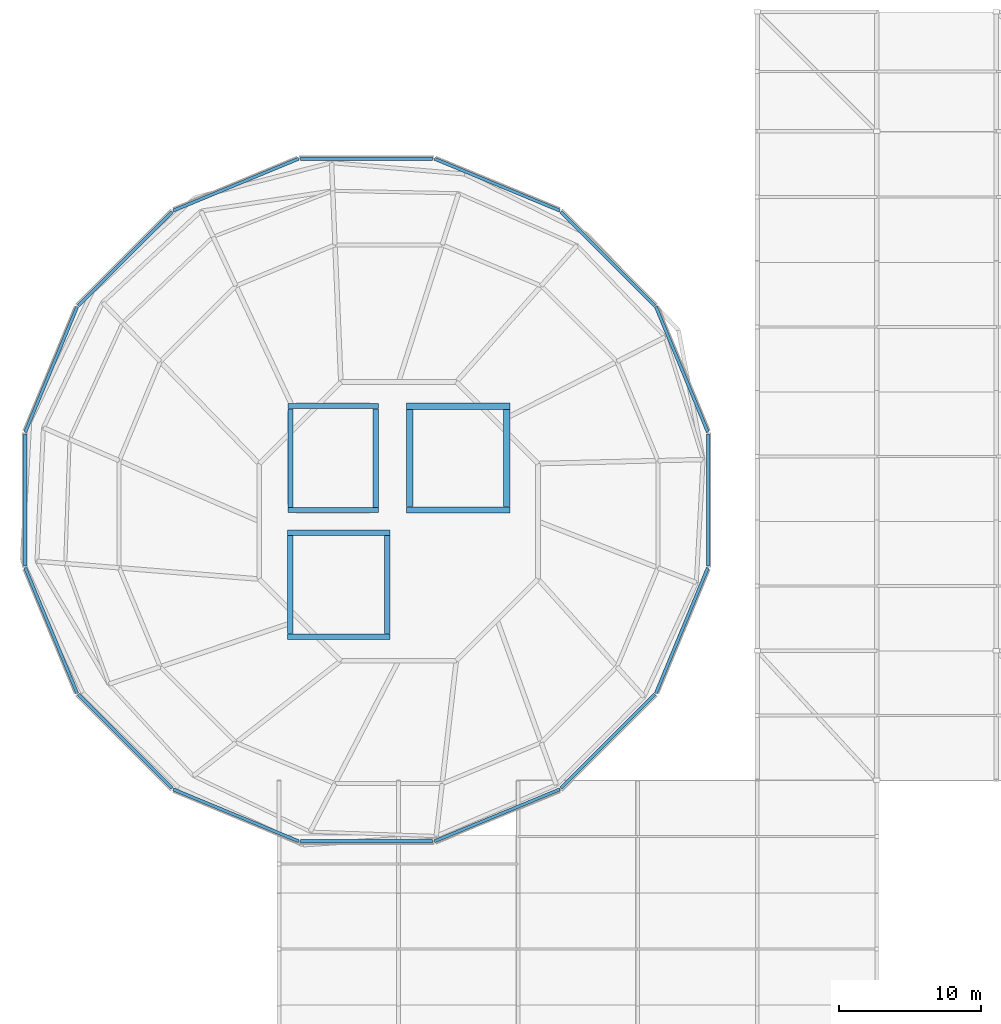
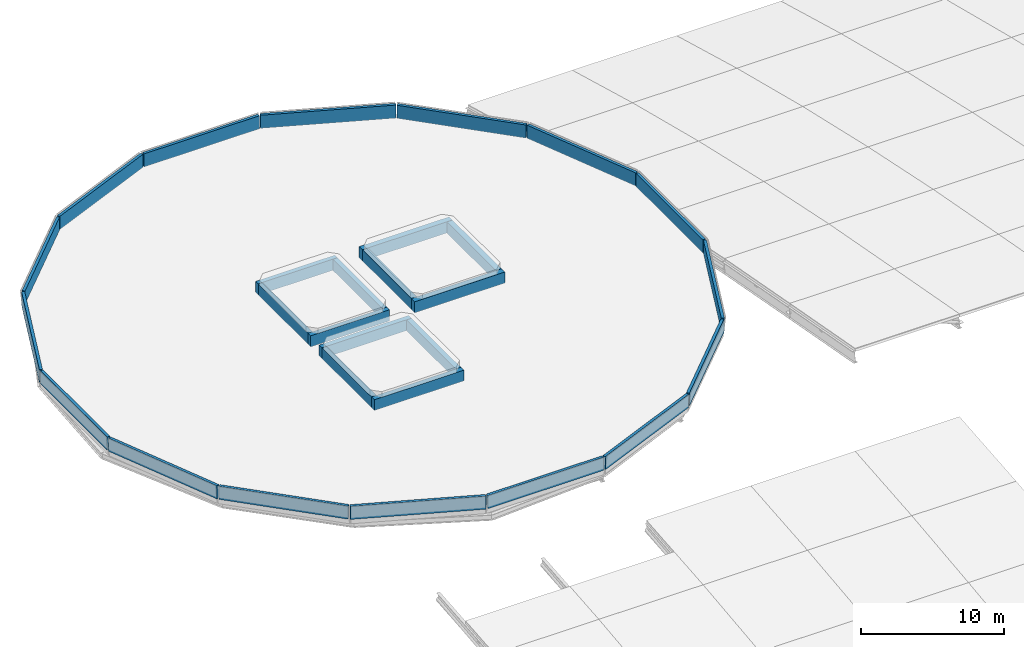
# One storey, part 10 of 12: 28 walls.
"""IFC4 building model written with IfcOpenShell, lengths in metres."""

from ifc_helpers import new_model, si_unit, derived_unit, direction, frame, frame_2d, origin, place, context, subcontext, project, spatial, rectangle, extrude, material, layer, layer_set, type_object, element, save


model = new_model("IFC4")

# Units and contexts
model_context = context("Model", 3, precision=1e-05, world=origin(), true_north=direction((0.0, 1.0)))
body_context = subcontext(model_context, "Body", "Model", "MODEL_VIEW")
ifc_project = project(units=[si_unit("LENGTHUNIT", "METRE"), si_unit("AREAUNIT", "SQUARE_METRE"), si_unit("VOLUMEUNIT", "CUBIC_METRE"), si_unit("PLANEANGLEUNIT", "RADIAN"), si_unit("MASSUNIT", "GRAM", prefix="KILO"), derived_unit("THERMALTRANSMITTANCEUNIT", [(si_unit("MASSUNIT", "GRAM", prefix="KILO"), 1), (si_unit("TIMEUNIT", "SECOND"), -3), (si_unit("THERMODYNAMICTEMPERATUREUNIT", "KELVIN"), -1)])], contexts=[model_context])

# Site, building, storey
site_placement = place(None, origin())
site = spatial("IfcSite", under=ifc_project, at=site_placement, CompositionType="ELEMENT")
building_placement = place(site_placement, origin())
building = spatial("IfcBuilding", under=site, at=building_placement, Name="Makaiwela Harbour Ferry Terminal", CompositionType="ELEMENT")
storey_placement = place(building_placement, frame((0.0, 0.0, 25.5)))
storey = spatial("IfcBuildingStorey", under=building, at=storey_placement, Name="ROOF", CompositionType="ELEMENT", Elevation=25.5)

# Walls
ifc_material_1 = material(Name="Precast concrete f'c 40 MPa (6000 psi)", Category="concrete")
ifc_layer_1 = layer(ifc_material_1, 0.219970703125)
ifc_layer_set_1 = layer_set([ifc_layer_1], Name="Precast concrete f'c 40 MPa (6000 psi)")
wall_type_1 = type_object("IfcWallType", Name="ENV-WL-PAR220", PredefinedType="PARAPET", material=ifc_layer_set_1)
wall_1_placement = place(storey_placement, frame((59.5302734375, 73.8701171875, 0.0), z_axis=(0.0, 0.0, 1.0), x_axis=(-0.38270288227, 0.923871475857, 0.0)))
element("IfcWall", 1, at=wall_1_placement, inside=storey, type_object=wall_type_1, Name="Roof Parapet Wall PW-022", PredefinedType="PARAPET", context=body_context, shape_type="SweptSolid", body=[
    extrude(rectangle(XDim=9.539794921875, YDim=0.219970703125, at=frame_2d((4.77001953125, 0.0))), origin(), (0.0, 0.0, 1.0), 1.1201171875),
])
wall_2_placement = place(storey_placement, frame((55.79443359375, 82.7685546875, 0.0), z_axis=(0.0, 0.0, 1.0), x_axis=(-0.707106781187, 0.707106781187, 0.0)))
element("IfcWall", 2, at=wall_2_placement, inside=storey, type_object=wall_type_1, Name="Roof Parapet Wall PW-023", PredefinedType="PARAPET", context=body_context, shape_type="SweptSolid", body=[
    extrude(rectangle(XDim=9.2998046875, YDim=0.219970703125, at=frame_2d((4.64990234375, 0.0))), origin(), (0.0, 0.0, 1.0), 1.1201171875),
])
wall_3_placement = place(storey_placement, frame((49.1337890625, 89.429443359375, 0.0), z_axis=(0.0, 0.0, 1.0), x_axis=(-0.923884271929, 0.382671990198, 0.0)))
element("IfcWall", 3, at=wall_3_placement, inside=storey, type_object=wall_type_1, Name="Roof Parapet Wall PW-024", PredefinedType="PARAPET", context=body_context, shape_type="SweptSolid", body=[
    extrude(rectangle(XDim=9.539794921875, YDim=0.219970703125, at=frame_2d((4.77001953125, 0.0))), origin(), (0.0, 0.0, 1.0), 1.1201171875),
])
wall_4_placement = place(storey_placement, frame((40.199951171875, 93.080078125, 0.0), z_axis=(0.0, 0.0, 1.0), x_axis=(-1.0, 0.0, 0.0)))
element("IfcWall", 4, at=wall_4_placement, inside=storey, type_object=wall_type_1, Name="Roof Parapet Wall PW-025", PredefinedType="PARAPET", context=body_context, shape_type="SweptSolid", body=[
    extrude(rectangle(XDim=9.300048828125, YDim=0.219970703125, at=frame_2d((4.64990234375, 0.0))), origin(), (0.0, 0.0, 1.0), 1.1201171875),
])
wall_5_placement = place(storey_placement, frame((30.780029296875, 93.080078125, 0.0), z_axis=(0.0, 0.0, 1.0), x_axis=(-0.923884271929, -0.382671990198, 0.0)))
element("IfcWall", 5, at=wall_5_placement, inside=storey, type_object=wall_type_1, Name="Roof Parapet Wall PW-026", PredefinedType="PARAPET", context=body_context, shape_type="SweptSolid", body=[
    extrude(rectangle(XDim=9.539794921875, YDim=0.219970703125, at=frame_2d((4.77001953125, 0.0))), origin(), (0.0, 0.0, 1.0), 1.1201171875),
])
wall_6_placement = place(storey_placement, frame((21.88134765625, 89.344482421875, 0.0), z_axis=(0.0, 0.0, 1.0), x_axis=(-0.707106781187, -0.707106781187, 0.0)))
element("IfcWall", 6, at=wall_6_placement, inside=storey, type_object=wall_type_1, Name="Roof Parapet Wall PW-027", PredefinedType="PARAPET", context=body_context, shape_type="SweptSolid", body=[
    extrude(rectangle(XDim=9.2998046875, YDim=0.219970703125, at=frame_2d((4.64990234375, 0.0))), origin(), (0.0, 0.0, 1.0), 1.1201171875),
])
wall_7_placement = place(storey_placement, frame((15.220703125, 82.68359375, 0.0), z_axis=(0.0, 0.0, 1.0), x_axis=(-0.38270288227, -0.923871475857, 0.0)))
element("IfcWall", 7, at=wall_7_placement, inside=storey, type_object=wall_type_1, Name="Roof Parapet Wall PW-028", PredefinedType="PARAPET", context=body_context, shape_type="SweptSolid", body=[
    extrude(rectangle(XDim=9.539794921875, YDim=0.219970703125, at=frame_2d((4.77001953125, 0.0))), origin(), (0.0, 0.0, 1.0), 1.1201171875),
])
wall_8_placement = place(storey_placement, frame((11.56982421875, 73.75, 0.0), z_axis=(0.0, 0.0, 1.0), x_axis=(0.0, -1.0, 0.0)))
element("IfcWall", 8, at=wall_8_placement, inside=storey, type_object=wall_type_1, Name="Roof Parapet Wall PW-029", PredefinedType="PARAPET", context=body_context, shape_type="SweptSolid", body=[
    extrude(rectangle(XDim=9.300048828125, YDim=0.219970703125, at=frame_2d((4.64990234375, 0.0))), origin(), (0.0, 0.0, 1.0), 1.1201171875),
])
wall_9_placement = place(storey_placement, frame((11.56982421875, 64.330078125, 0.0), z_axis=(0.0, 0.0, 1.0), x_axis=(0.382693833944, -0.923875223968, 0.0)))
element("IfcWall", 9, at=wall_9_placement, inside=storey, type_object=wall_type_1, Name="Roof Parapet Wall PW-030", PredefinedType="PARAPET", context=body_context, shape_type="SweptSolid", body=[
    extrude(rectangle(XDim=9.5400390625, YDim=0.219970703125, at=frame_2d((4.77001953125, 0.0))), origin(), (0.0, 0.0, 1.0), 1.1201171875),
])
wall_10_placement = place(storey_placement, frame((15.305419921875, 55.431396484375, 0.0), z_axis=(0.0, 0.0, 1.0), x_axis=(0.707106781187, -0.707106781187, 0.0)))
element("IfcWall", 10, at=wall_10_placement, inside=storey, type_object=wall_type_1, Name="Roof Parapet Wall PW-031", PredefinedType="PARAPET", context=body_context, shape_type="SweptSolid", body=[
    extrude(rectangle(XDim=9.2998046875, YDim=0.219970703125, at=frame_2d((4.64990234375, 0.0))), origin(), (0.0, 0.0, 1.0), 1.1201171875),
])
wall_11_placement = place(storey_placement, frame((21.96630859375, 48.7705078125, 0.0), z_axis=(0.0, 0.0, 1.0), x_axis=(0.923884271929, -0.382671990198, 0.0)))
element("IfcWall", 11, at=wall_11_placement, inside=storey, type_object=wall_type_1, Name="Roof Parapet Wall PW-032", PredefinedType="PARAPET", context=body_context, shape_type="SweptSolid", body=[
    extrude(rectangle(XDim=9.539794921875, YDim=0.219970703125, at=frame_2d((4.77001953125, 0.0))), origin(), (0.0, 0.0, 1.0), 1.1201171875),
])
wall_12_placement = place(storey_placement, frame((30.89990234375, 45.119873046875, 0.0), z_axis=(0.0, 0.0, 1.0), x_axis=(1.0, 0.0, 0.0)))
element("IfcWall", 12, at=wall_12_placement, inside=storey, type_object=wall_type_1, Name="Roof Parapet Wall PW-033", PredefinedType="PARAPET", context=body_context, shape_type="SweptSolid", body=[
    extrude(rectangle(XDim=9.300048828125, YDim=0.219970703125, at=frame_2d((4.64990234375, 0.0))), origin(), (0.0, 0.0, 1.0), 1.1201171875),
])
wall_13_placement = place(storey_placement, frame((40.320068359375, 45.119873046875, 0.0), z_axis=(0.0, 0.0, 1.0), x_axis=(0.923884271929, 0.382671990198, 0.0)))
element("IfcWall", 13, at=wall_13_placement, inside=storey, type_object=wall_type_1, Name="Roof Parapet Wall PW-034", PredefinedType="PARAPET", context=body_context, shape_type="SweptSolid", body=[
    extrude(rectangle(XDim=9.539794921875, YDim=0.219970703125, at=frame_2d((4.77001953125, 0.0))), origin(), (0.0, 0.0, 1.0), 1.1201171875),
])
wall_14_placement = place(storey_placement, frame((49.218505859375, 48.85546875, 0.0), z_axis=(0.0, 0.0, 1.0), x_axis=(0.707106781187, 0.707106781187, 0.0)))
element("IfcWall", 14, at=wall_14_placement, inside=storey, type_object=wall_type_1, Name="Roof Parapet Wall PW-035", PredefinedType="PARAPET", context=body_context, shape_type="SweptSolid", body=[
    extrude(rectangle(XDim=9.2998046875, YDim=0.219970703125, at=frame_2d((4.64990234375, 0.0))), origin(), (0.0, 0.0, 1.0), 1.1201171875),
])
wall_15_placement = place(storey_placement, frame((55.87939453125, 55.516357421875, 0.0), z_axis=(0.0, 0.0, 1.0), x_axis=(0.382693833944, 0.923875223968, 0.0)))
element("IfcWall", 15, at=wall_15_placement, inside=storey, type_object=wall_type_1, Name="Roof Parapet Wall PW-036", PredefinedType="PARAPET", context=body_context, shape_type="SweptSolid", body=[
    extrude(rectangle(XDim=9.5400390625, YDim=0.219970703125, at=frame_2d((4.77001953125, 0.0))), origin(), (0.0, 0.0, 1.0), 1.1201171875),
])
wall_16_placement = place(storey_placement, frame((59.5302734375, 64.449951171875, 0.0), z_axis=(0.0, 0.0, 1.0), x_axis=(0.0, 1.0, 0.0)))
element("IfcWall", 16, at=wall_16_placement, inside=storey, type_object=wall_type_1, Name="Roof Parapet Wall PW-037", PredefinedType="PARAPET", context=body_context, shape_type="SweptSolid", body=[
    extrude(rectangle(XDim=9.300048828125, YDim=0.219970703125, at=frame_2d((4.64990234375, 0.0))), origin(), (0.0, 0.0, 1.0), 1.1201171875),
])
ifc_material_2 = material(Name="Concrete f'c 45 MPa (6500 psi)", Category="concrete")
ifc_layer_2 = layer(ifc_material_2, 0.360107421875)
ifc_layer_set_2 = layer_set([ifc_layer_2], Name="Concrete f'c 45 MPa (6500 psi)")
wall_type_2 = type_object("IfcWallType", Name="INT-WL-SHR360", PredefinedType="SHEAR", material=ifc_layer_set_2)
for number, where, z_axis, x_axis, name in (
    (17, (30.02001953125, 68.39990234375, 0.0), (0.0, 0.0, 1.0), (1.0, 0.0, 0.0), "Interior Wall IW-0162"),
    (18, (30.02001953125, 75.699951171875, 0.0), (0.0, 0.0, 1.0), (1.0, 0.0, 0.0), "Interior Wall IW-0163"),
):
    element("IfcWall", number, at=place(storey_placement, frame(where, z_axis=z_axis, x_axis=x_axis)), inside=storey, type_object=wall_type_2, Name=name, PredefinedType="SHEAR", context=body_context, shape_type="SweptSolid", body=[
        extrude(rectangle(XDim=6.35986328125, YDim=0.360107421875, at=frame_2d((3.179931640625, 0.0))), origin(), (0.0, 0.0, 1.0), 0.949951171875),
    ])
for number, where, z_axis, x_axis, name in (
    (19, (30.199951171875, 68.590087890625, 0.0), (0.0, 0.0, 1.0), (0.0, 1.0, 0.0), "Interior Wall IW-0164"),
    (20, (36.199951171875, 68.590087890625, 0.0), (0.0, 0.0, 1.0), (0.0, 1.0, 0.0), "Interior Wall IW-0165"),
):
    element("IfcWall", number, at=place(storey_placement, frame(where, z_axis=z_axis, x_axis=x_axis)), inside=storey, type_object=wall_type_2, Name=name, PredefinedType="SHEAR", context=body_context, shape_type="SweptSolid", body=[
        extrude(rectangle(XDim=6.919921875, YDim=0.360107421875, at=frame_2d((3.4599609375, 0.0))), origin(), (0.0, 0.0, 1.0), 0.949951171875),
    ])
ifc_layer_3 = layer(ifc_material_2, 0.39990234375)
ifc_layer_set_3 = layer_set([ifc_layer_3], Name="Concrete f'c 45 MPa (6500 psi)")
wall_type_3 = type_object("IfcWallType", Name="INT-WL-SHR400", PredefinedType="SHEAR", material=ifc_layer_set_3)
for number, where, z_axis, x_axis, name in (
    (21, (30.0, 59.5, 0.0), (0.0, 0.0, 1.0), (1.0, 0.0, 0.0), "Interior Wall IW-0125"),
    (22, (30.0, 66.800048828125, 0.0), (0.0, 0.0, 1.0), (1.0, 0.0, 0.0), "Interior Wall IW-0126"),
):
    element("IfcWall", number, at=place(storey_placement, frame(where, z_axis=z_axis, x_axis=x_axis)), inside=storey, type_object=wall_type_3, Name=name, PredefinedType="SHEAR", context=body_context, shape_type="SweptSolid", body=[
        extrude(rectangle(XDim=7.199951171875, YDim=0.39990234375, at=frame_2d((3.60009765625, 0.0))), origin(), (0.0, 0.0, 1.0), 0.919921875),
    ])
for number, where, z_axis, x_axis, name in (
    (23, (30.199951171875, 59.7099609375, 0.0), (0.0, 0.0, 1.0), (0.0, 1.0, 0.0), "Interior Wall IW-0127"),
    (24, (37.0, 59.7099609375, 0.0), (0.0, 0.0, 1.0), (0.0, 1.0, 0.0), "Interior Wall IW-0128"),
):
    element("IfcWall", number, at=place(storey_placement, frame(where, z_axis=z_axis, x_axis=x_axis)), inside=storey, type_object=wall_type_3, Name=name, PredefinedType="SHEAR", context=body_context, shape_type="SweptSolid", body=[
        extrude(rectangle(XDim=6.880126953125, YDim=0.39990234375, at=frame_2d((3.43994140625, 0.0))), origin(), (0.0, 0.0, 1.0), 0.919921875),
    ])
ifc_layer_4 = layer(ifc_material_2, 0.449951171875)
ifc_layer_set_4 = layer_set([ifc_layer_4], Name="Concrete f'c 45 MPa (6500 psi)")
wall_type_4 = type_object("IfcWallType", Name="INT-WL-SHR450", PredefinedType="SHEAR", material=ifc_layer_set_4)
for number, where, z_axis, x_axis, name in (
    (25, (38.375, 68.39990234375, 0.0), (0.0, 0.0, 1.0), (1.0, 0.0, 0.0), "Interior Wall IW-0061"),
    (26, (38.375, 75.699951171875, 0.0), (0.0, 0.0, 1.0), (1.0, 0.0, 0.0), "Interior Wall IW-0062"),
):
    element("IfcWall", number, at=place(storey_placement, frame(where, z_axis=z_axis, x_axis=x_axis)), inside=storey, type_object=wall_type_4, Name=name, PredefinedType="SHEAR", context=body_context, shape_type="SweptSolid", body=[
        extrude(rectangle(XDim=7.25, YDim=0.449951171875, at=frame_2d((3.625, 0.0))), origin(), (0.0, 0.0, 1.0), 0.949951171875),
    ])
for number, where, z_axis, x_axis, name in (
    (27, (38.60009765625, 68.635009765625, 0.0), (0.0, 0.0, 1.0), (0.0, 1.0, 0.0), "Interior Wall IW-0063"),
    (28, (45.39990234375, 68.635009765625, 0.0), (0.0, 0.0, 1.0), (0.0, 1.0, 0.0), "Interior Wall IW-0064"),
):
    element("IfcWall", number, at=place(storey_placement, frame(where, z_axis=z_axis, x_axis=x_axis)), inside=storey, type_object=wall_type_4, Name=name, PredefinedType="SHEAR", context=body_context, shape_type="SweptSolid", body=[
        extrude(rectangle(XDim=6.830078125, YDim=0.449951171875, at=frame_2d((3.4150390625, 0.0))), origin(), (0.0, 0.0, 1.0), 0.949951171875),
    ])

save(model, "model.ifc")
